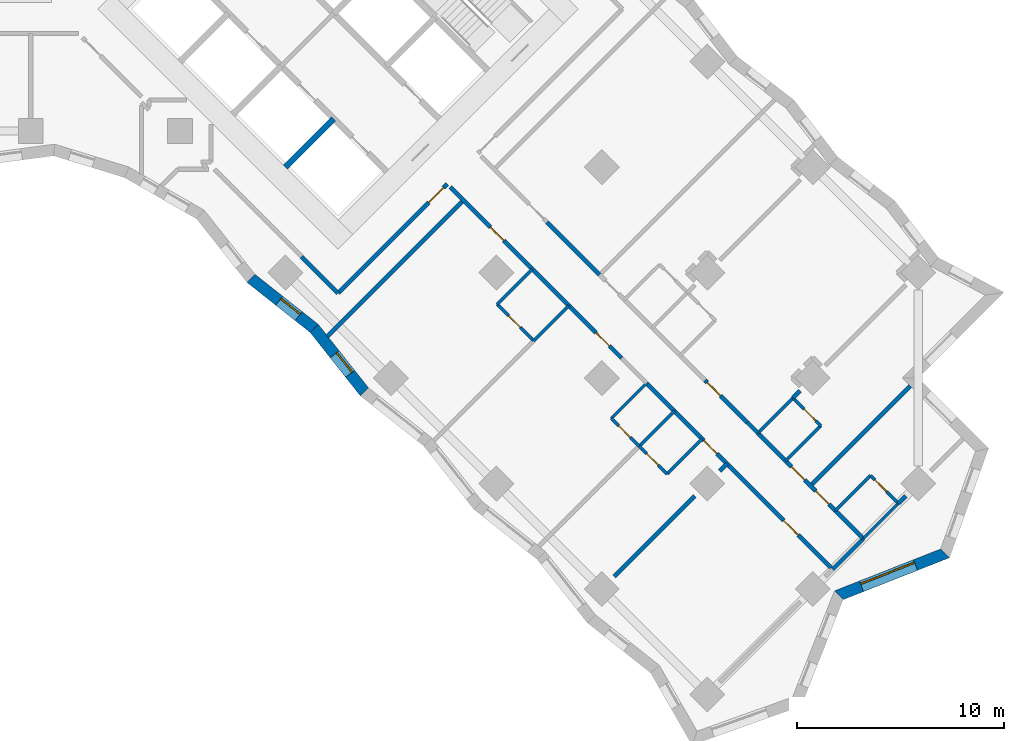
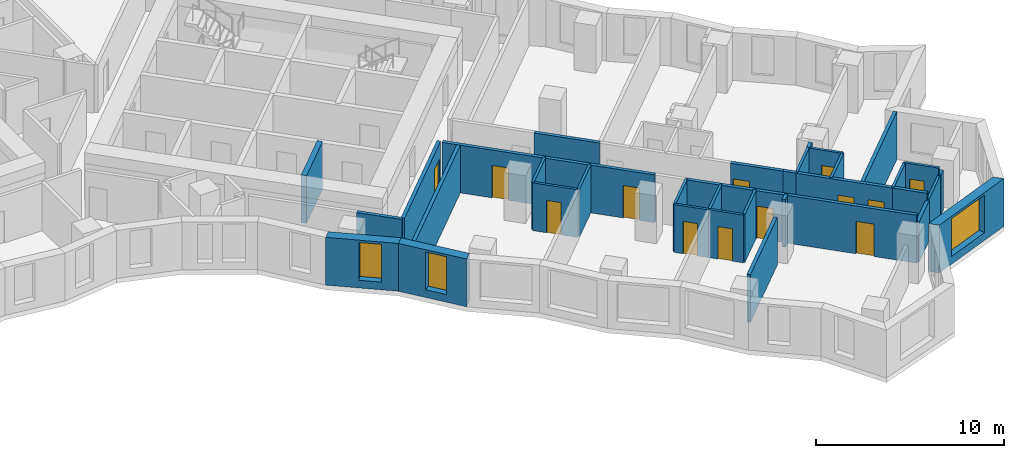
# One storey, part 8 of 14: 36 walls, 13 doors, 3 windows, 16 openings.
"""IFC4 building model written with IfcOpenShell, lengths in metres."""

from ifc_helpers import new_model, si_unit, direction, frame, frame_2d, origin, place, context, subcontext, project, spatial, polyline, rectangle, outline, extrude, material, layer, layer_set, type_object, element, fill, save


model = new_model("IFC4")

# Units and contexts
model_context = context("Model", 3, precision=1e-05, world=origin(), true_north=direction((0.0, 1.0)))
body_context = subcontext(model_context, "Body", "Model", "MODEL_VIEW")
ifc_project = project(units=[si_unit("LENGTHUNIT", "METRE"), si_unit("AREAUNIT", "SQUARE_METRE"), si_unit("VOLUMEUNIT", "CUBIC_METRE"), si_unit("PLANEANGLEUNIT", "RADIAN"), si_unit("MASSUNIT", "GRAM", prefix="KILO")], contexts=[model_context])

# Site, building, storey
site_placement = place(None, origin())
site = spatial("IfcSite", under=ifc_project, at=site_placement, CompositionType="ELEMENT")
building_placement = place(site_placement, origin())
building = spatial("IfcBuilding", under=site, at=building_placement, Name="Windrow Commons", CompositionType="ELEMENT")
storey_placement = place(building_placement, frame((0.0, 0.0, 44.0)))
storey = spatial("IfcBuildingStorey", under=building, at=storey_placement, Name="L11", CompositionType="ELEMENT", Elevation=44.0)

# Wall, opening, window
ifc_material_1 = material(Name="Brick masonry, red clay brick", Category="masonry")
ifc_layer_1 = layer(ifc_material_1, 0.55)
ifc_layer_set_1 = layer_set([ifc_layer_1], Name="Brick facade wall 550")
wall_type_1 = type_object("IfcWallType", Name="Brick facade wall 550", PredefinedType="SOLIDWALL", material=ifc_layer_set_1)
wall_1_placement = place(storey_placement, frame((111.0019, 20.7873, 0.0), z_axis=(0.0, 0.0, 1.0), x_axis=(0.930334543, 0.3667119279, 0.0)))
wall_1 = element("IfcWall", 1, at=wall_1_placement, inside=storey, type_object=wall_type_1, Name="Brick facade wall L11 3", PredefinedType="SOLIDWALL", context=body_context, shape_type="SweptSolid", body=[
    extrude(outline(polyline([(0.1195, -0.275), (5.6396, -0.275), (5.3898, 0.275), (-0.1195, 0.275), (0.1195, -0.275)])), origin(), (0.0, 0.0, 1.0), 3.1),
])
opening_1_placement = place(wall_1_placement, frame((1.1777, 0.0, 0.5)))
opening_1 = element("IfcOpeningElement", 2, at=opening_1_placement, cuts=wall_1, Name="Opening W1T", PredefinedType="OPENING", context=body_context, shape_type="SweptSolid", body=[
    extrude(rectangle(XDim=2.8, YDim=2.45, at=frame_2d((1.4, 1.225))), frame((0.0, 0.285, 0.0), z_axis=(0.0, -1.0, 0.0), x_axis=(1.0, 0.0, 0.0)), (0.0, 0.0, 1.0), 0.57),
])
ifc_material_2 = material(Name="Clear float glass in anodised aluminium frame", Category="aluminium")
window_type_1 = type_object("IfcWindowType", Name="Window W1T bedroom 2800x2450", PartitioningType="SINGLE_PANEL", PredefinedType="WINDOW", material=ifc_material_2)
window_1_placement = place(opening_1_placement, origin())
window_1 = element("IfcWindow", 3, at=window_1_placement, inside=storey, type_object=window_type_1, Name="Window L11 3.1", OverallHeight=2.45, OverallWidth=2.8, PartitioningType="SINGLE_PANEL", PredefinedType="WINDOW", context=body_context, shape_type="SweptSolid", body=[
    extrude(rectangle(XDim=2.8, YDim=2.45, at=frame_2d((1.4, 1.225))), frame((0.0, 0.155, 0.0), z_axis=(0.0, -1.0, 0.0), x_axis=(1.0, 0.0, 0.0)), (0.0, 0.0, 1.0), 0.06),
])
fill(opening_1, window_1)

wall_2_placement = place(storey_placement, frame((82.619, 36.0906, 0.0), z_axis=(0.0, 0.0, 1.0), x_axis=(0.7841326465, -0.6205932587, 0.0)))
wall_2 = element("IfcWall", 4, at=wall_2_placement, inside=storey, type_object=wall_type_1, Name="Brick facade wall L11 56", PredefinedType="SOLIDWALL", context=body_context, shape_type="SweptSolid", body=[
    extrude(outline(polyline([(-0.032, -0.275), (3.868, -0.275), (3.932, 0.275), (0.032, 0.275), (-0.032, -0.275)])), origin(), (0.0, 0.0, 1.0), 3.1),
])
opening_2_placement = place(wall_2_placement, frame((1.7487, 0.0, 0.5)))
opening_2 = element("IfcOpeningElement", 5, at=opening_2_placement, cuts=wall_2, Name="Opening W7D", PredefinedType="OPENING", context=body_context, shape_type="SweptSolid", body=[
    extrude(rectangle(XDim=1.2, YDim=2.45, at=frame_2d((0.6, 1.225))), frame((0.0, 0.285, 0.0), z_axis=(0.0, -1.0, 0.0), x_axis=(1.0, 0.0, 0.0)), (0.0, 0.0, 1.0), 0.57),
])
ifc_material_3 = material(Name="Clear float glass in anodised aluminium frame", Category="aluminium")
window_type_2 = type_object("IfcWindowType", Name="Window W7 notch 1200x2450", PartitioningType="SINGLE_PANEL", PredefinedType="WINDOW", material=ifc_material_3)
window_2_placement = place(opening_2_placement, origin())
window_2 = element("IfcWindow", 6, at=window_2_placement, inside=storey, type_object=window_type_2, Name="Window L11 56.1", OverallHeight=2.45, OverallWidth=1.2, PartitioningType="SINGLE_PANEL", PredefinedType="WINDOW", context=body_context, shape_type="SweptSolid", body=[
    extrude(rectangle(XDim=1.2, YDim=2.45, at=frame_2d((0.6, 1.225))), frame((0.0, 0.155, 0.0), z_axis=(0.0, -1.0, 0.0), x_axis=(1.0, 0.0, 0.0)), (0.0, 0.0, 1.0), 0.06),
])
fill(opening_2, window_2)

wall_3_placement = place(storey_placement, frame((85.6771, 33.6703, 0.0), z_axis=(0.0, 0.0, 1.0), x_axis=(0.6205932587, -0.7841326465, 0.0)))
wall_3 = element("IfcWall", 7, at=wall_3_placement, inside=storey, type_object=wall_type_1, Name="Brick facade wall L11 57", PredefinedType="SOLIDWALL", context=body_context, shape_type="SweptSolid", body=[
    extrude(outline(polyline([(0.032, -0.275), (3.932, -0.275), (3.868, 0.275), (-0.032, 0.275), (0.032, -0.275)])), origin(), (0.0, 0.0, 1.0), 3.1),
])
opening_3_placement = place(wall_3_placement, frame((1.5948, 0.0, 0.5)))
opening_3 = element("IfcOpeningElement", 8, at=opening_3_placement, cuts=wall_3, Name="Opening W7D", PredefinedType="OPENING", context=body_context, shape_type="SweptSolid", body=[
    extrude(rectangle(XDim=1.2, YDim=2.45, at=frame_2d((0.6, 1.225))), frame((0.0, 0.285, 0.0), z_axis=(0.0, -1.0, 0.0), x_axis=(1.0, 0.0, 0.0)), (0.0, 0.0, 1.0), 0.57),
])
window_3_placement = place(opening_3_placement, origin())
window_3 = element("IfcWindow", 9, at=window_3_placement, inside=storey, type_object=window_type_2, Name="Window L11 57.1", OverallHeight=2.45, OverallWidth=1.2, PartitioningType="SINGLE_PANEL", PredefinedType="WINDOW", context=body_context, shape_type="SweptSolid", body=[
    extrude(rectangle(XDim=1.2, YDim=2.45, at=frame_2d((0.6, 1.225))), frame((0.0, 0.155, 0.0), z_axis=(0.0, -1.0, 0.0), x_axis=(1.0, 0.0, 0.0)), (0.0, 0.0, 1.0), 0.06),
])
fill(opening_3, window_3)

# Wall, openings, doors
ifc_material_4 = material(Name="Blockwork partition", Category="masonry")
ifc_layer_2 = layer(ifc_material_4, 0.2)
ifc_layer_set_2 = layer_set([ifc_layer_2], Name="IW-CORRIDOR-200")
wall_type_2 = type_object("IfcWallType", Name="IW-CORRIDOR-200", PredefinedType="PARTITIONING", material=ifc_layer_set_2)
wall_4_placement = place(storey_placement, frame((103.061, 29.677, 0.0), z_axis=(0.0, 0.0, 1.0), x_axis=(0.7071067812, -0.7071067812, 0.0)))
wall_4 = element("IfcWall", 10, at=wall_4_placement, inside=storey, type_object=wall_type_2, Name="W-L11-W009", PredefinedType="PARTITIONING", context=body_context, shape_type="SweptSolid", body=[
    extrude(rectangle(XDim=10.8018, YDim=0.2, at=frame_2d((5.4009, 0.0))), origin(), (0.0, 0.0, 1.0), 3.1),
])
opening_4_placement = place(wall_4_placement, frame((2.012, 0.0, 0.0)))
opening_4 = element("IfcOpeningElement", 11, at=opening_4_placement, cuts=wall_4, Name="Opening D109S", PredefinedType="OPENING", context=body_context, shape_type="SweptSolid", body=[
    extrude(rectangle(XDim=0.9, YDim=2.1, at=frame_2d((0.45, 1.05))), frame((0.0, 0.11, 0.0), z_axis=(0.0, -1.0, 0.0), x_axis=(1.0, 0.0, 0.0)), (0.0, 0.0, 1.0), 0.22),
])
opening_5_placement = place(wall_4_placement, frame((7.4633, 0.0, 0.0)))
opening_5 = element("IfcOpeningElement", 12, at=opening_5_placement, cuts=wall_4, Name="Opening D310F", PredefinedType="OPENING", context=body_context, shape_type="SweptSolid", body=[
    extrude(rectangle(XDim=1.0, YDim=2.1, at=frame_2d((0.5, 1.05))), frame((0.0, 0.11, 0.0), z_axis=(0.0, -1.0, 0.0), x_axis=(1.0, 0.0, 0.0)), (0.0, 0.0, 1.0), 0.22),
])
ifc_material_5 = material(Name="Timber door leaf", Category="wood")
door_type_1 = type_object("IfcDoorType", Name="DT-AMENITY-1000", OperationType="SINGLE_SWING_LEFT", PredefinedType="DOOR", material=ifc_material_5)
door_1_placement = place(opening_5_placement, origin())
door_1 = element("IfcDoor", 13, at=door_1_placement, inside=storey, type_object=door_type_1, Name="D-L11-D057", OperationType="SINGLE_SWING_RIGHT", OverallHeight=2.1, OverallWidth=1.0, PredefinedType="DOOR", context=body_context, shape_type="SweptSolid", body=[
    extrude(rectangle(XDim=1.0, YDim=2.1, at=frame_2d((0.5, 1.05))), frame((0.0, 0.025, 0.0), z_axis=(0.0, -1.0, 0.0), x_axis=(1.0, 0.0, 0.0)), (0.0, 0.0, 1.0), 0.05),
])
fill(opening_5, door_1)
ifc_material_6 = material(Name="Timber door leaf", Category="wood")
door_type_2 = type_object("IfcDoorType", Name="DT-BEDROOM-900", OperationType="SINGLE_SWING_LEFT", PredefinedType="DOOR", material=ifc_material_6)
door_2_placement = place(opening_4_placement, origin())
door_2 = element("IfcDoor", 14, at=door_2_placement, inside=storey, type_object=door_type_2, Name="D-L11-D055", OperationType="SINGLE_SWING_LEFT", OverallHeight=2.1, OverallWidth=0.9, PredefinedType="DOOR", context=body_context, shape_type="SweptSolid", body=[
    extrude(rectangle(XDim=0.9, YDim=2.1, at=frame_2d((0.45, 1.05))), frame((0.0, 0.025, 0.0), z_axis=(0.0, -1.0, 0.0), x_axis=(1.0, 0.0, 0.0)), (0.0, 0.0, 1.0), 0.05),
])
fill(opening_4, door_2)

# Wall, opening, door
wall_5_placement = place(storey_placement, frame((92.243, 40.495, 0.0), z_axis=(0.0, 0.0, 1.0), x_axis=(0.7071067812, -0.7071067812, 0.0)))
wall_5 = element("IfcWall", 15, at=wall_5_placement, inside=storey, type_object=wall_type_2, Name="W-L11-W015", PredefinedType="PARTITIONING", context=body_context, shape_type="SweptSolid", body=[
    extrude(rectangle(XDim=8.1006, YDim=0.2, at=frame_2d((4.0503, 0.0))), origin(), (0.0, 0.0, 1.0), 3.1),
])
opening_6_placement = place(wall_5_placement, frame((2.7498, 0.0, 0.0)))
opening_6 = element("IfcOpeningElement", 16, at=opening_6_placement, cuts=wall_5, Name="Opening D109F", PredefinedType="OPENING", context=body_context, shape_type="SweptSolid", body=[
    extrude(rectangle(XDim=0.9, YDim=2.1, at=frame_2d((0.45, 1.05))), frame((0.0, 0.11, 0.0), z_axis=(0.0, -1.0, 0.0), x_axis=(1.0, 0.0, 0.0)), (0.0, 0.0, 1.0), 0.22),
])
door_3_placement = place(opening_6_placement, origin())
door_3 = element("IfcDoor", 17, at=door_3_placement, inside=storey, type_object=door_type_2, Name="D-L11-D051", OperationType="SINGLE_SWING_LEFT", OverallHeight=2.1, OverallWidth=0.9, PredefinedType="DOOR", context=body_context, shape_type="SweptSolid", body=[
    extrude(rectangle(XDim=0.9, YDim=2.1, at=frame_2d((0.45, 1.05))), frame((0.0, 0.025, 0.0), z_axis=(0.0, -1.0, 0.0), x_axis=(1.0, 0.0, 0.0)), (0.0, 0.0, 1.0), 0.05),
])
fill(opening_6, door_3)

wall_6_placement = place(storey_placement, frame((86.8356, 35.3724, 0.0), z_axis=(0.0, 0.0, 1.0), x_axis=(0.7071067812, 0.7071067812, 0.0)))
wall_6 = element("IfcWall", 18, at=wall_6_placement, inside=storey, type_object=wall_type_2, Name="W-L11-W016", PredefinedType="PARTITIONING", context=body_context, shape_type="SweptSolid", body=[
    extrude(rectangle(XDim=7.4501, YDim=0.2, at=frame_2d((3.725, 0.0))), origin(), (0.0, 0.0, 1.0), 3.1),
])
opening_7_placement = place(wall_6_placement, frame((6.1921, 0.0, 0.0)))
opening_7 = element("IfcOpeningElement", 19, at=opening_7_placement, cuts=wall_6, Name="Opening D310F", PredefinedType="OPENING", context=body_context, shape_type="SweptSolid", body=[
    extrude(rectangle(XDim=1.0, YDim=2.1, at=frame_2d((0.5, 1.05))), frame((0.0, 0.11, 0.0), z_axis=(0.0, -1.0, 0.0), x_axis=(1.0, 0.0, 0.0)), (0.0, 0.0, 1.0), 0.22),
])
door_4_placement = place(opening_7_placement, origin())
door_4 = element("IfcDoor", 20, at=door_4_placement, inside=storey, type_object=door_type_1, Name="D-L11-D050", OperationType="SINGLE_SWING_RIGHT", OverallHeight=2.1, OverallWidth=1.0, PredefinedType="DOOR", context=body_context, shape_type="SweptSolid", body=[
    extrude(rectangle(XDim=1.0, YDim=2.1, at=frame_2d((0.5, 1.05))), frame((0.0, 0.025, 0.0), z_axis=(0.0, -1.0, 0.0), x_axis=(1.0, 0.0, 0.0)), (0.0, 0.0, 1.0), 0.05),
])
fill(opening_7, door_4)

# Wall, openings, doors
wall_7_placement = place(storey_placement, frame((107.093, 28.615, 0.0), z_axis=(0.0, 0.0, 1.0), x_axis=(0.7072011313, -0.7070124185, 0.0)))
wall_7 = element("IfcWall", 21, at=wall_7_placement, inside=storey, type_object=wall_type_2, Name="W-L11-W038", PredefinedType="PARTITIONING", context=body_context, shape_type="SweptSolid", body=[
    extrude(rectangle(XDim=5.2991, YDim=0.2, at=frame_2d((2.6496, 0.0))), origin(), (0.0, 0.0, 1.0), 3.1),
])
opening_8_placement = place(wall_7_placement, frame((2.2988, 0.0, 0.0)))
opening_8 = element("IfcOpeningElement", 22, at=opening_8_placement, cuts=wall_7, Name="Opening D109S", PredefinedType="OPENING", context=body_context, shape_type="SweptSolid", body=[
    extrude(rectangle(XDim=0.9, YDim=2.1, at=frame_2d((0.45, 1.05))), frame((0.0, 0.11, 0.0), z_axis=(0.0, -1.0, 0.0), x_axis=(1.0, 0.0, 0.0)), (0.0, 0.0, 1.0), 0.22),
])
opening_9_placement = place(wall_7_placement, frame((3.9488, 0.0, 0.0)))
opening_9 = element("IfcOpeningElement", 23, at=opening_9_placement, cuts=wall_7, Name="Opening D109S", PredefinedType="OPENING", context=body_context, shape_type="SweptSolid", body=[
    extrude(rectangle(XDim=0.9, YDim=2.1, at=frame_2d((0.45, 1.05))), frame((0.0, 0.11, 0.0), z_axis=(0.0, -1.0, 0.0), x_axis=(1.0, 0.0, 0.0)), (0.0, 0.0, 1.0), 0.22),
])
door_5_placement = place(opening_8_placement, origin())
door_5 = element("IfcDoor", 24, at=door_5_placement, inside=storey, type_object=door_type_2, Name="D-L11-D045", OperationType="SINGLE_SWING_LEFT", OverallHeight=2.1, OverallWidth=0.9, PredefinedType="DOOR", context=body_context, shape_type="SweptSolid", body=[
    extrude(rectangle(XDim=0.9, YDim=2.1, at=frame_2d((0.45, 1.05))), frame((0.0, 0.025, 0.0), z_axis=(0.0, -1.0, 0.0), x_axis=(1.0, 0.0, 0.0)), (0.0, 0.0, 1.0), 0.05),
])
fill(opening_8, door_5)
door_6_placement = place(opening_9_placement, origin())
door_6 = element("IfcDoor", 25, at=door_6_placement, inside=storey, type_object=door_type_2, Name="D-L11-D058", OperationType="SINGLE_SWING_RIGHT", OverallHeight=2.1, OverallWidth=0.9, PredefinedType="DOOR", context=body_context, shape_type="SweptSolid", body=[
    extrude(rectangle(XDim=0.9, YDim=2.1, at=frame_2d((0.45, 1.05))), frame((0.0, 0.025, 0.0), z_axis=(0.0, -1.0, 0.0), x_axis=(1.0, 0.0, 0.0)), (0.0, 0.0, 1.0), 0.05),
])
fill(opening_9, door_6)

# Wall
wall_8_placement = place(storey_placement, frame((96.9127, 38.8007, 0.0), z_axis=(0.0, 0.0, 1.0), x_axis=(0.7068288851, -0.7073845681, 0.0)))
element("IfcWall", 26, at=wall_8_placement, inside=storey, type_object=wall_type_2, Name="W-L11-W056", PredefinedType="PARTITIONING", context=body_context, shape_type="SweptSolid", body=[
    extrude(rectangle(XDim=3.5992, YDim=0.2, at=frame_2d((1.7996, 0.0))), origin(), (0.0, 0.0, 1.0), 3.1),
])

# Wall, opening, door
wall_9_placement = place(storey_placement, frame((97.9764, 34.7724, 0.0), z_axis=(0.0, 0.0, 1.0), x_axis=(0.7073845681, -0.7068288851, 0.0)))
wall_9 = element("IfcWall", 27, at=wall_9_placement, inside=storey, type_object=wall_type_2, Name="W-L11-W057", PredefinedType="PARTITIONING", context=body_context, shape_type="SweptSolid", body=[
    extrude(rectangle(XDim=3.5992, YDim=0.2, at=frame_2d((1.7996, 0.0))), origin(), (0.0, 0.0, 1.0), 3.1),
])
opening_10_placement = place(wall_9_placement, frame((1.8576, 0.0, 0.0)))
opening_10 = element("IfcOpeningElement", 28, at=opening_10_placement, cuts=wall_9, Name="Opening D109F", PredefinedType="OPENING", context=body_context, shape_type="SweptSolid", body=[
    extrude(rectangle(XDim=0.9, YDim=2.1, at=frame_2d((0.45, 1.05))), frame((0.0, 0.11, 0.0), z_axis=(0.0, -1.0, 0.0), x_axis=(1.0, 0.0, 0.0)), (0.0, 0.0, 1.0), 0.22),
])
door_7_placement = place(opening_10_placement, origin())
door_7 = element("IfcDoor", 29, at=door_7_placement, inside=storey, type_object=door_type_2, Name="D-L11-D053", OperationType="SINGLE_SWING_LEFT", OverallHeight=2.1, OverallWidth=0.9, PredefinedType="DOOR", context=body_context, shape_type="SweptSolid", body=[
    extrude(rectangle(XDim=0.9, YDim=2.1, at=frame_2d((0.45, 1.05))), frame((0.0, 0.025, 0.0), z_axis=(0.0, -1.0, 0.0), x_axis=(1.0, 0.0, 0.0)), (0.0, 0.0, 1.0), 0.05),
])
fill(opening_10, door_7)

wall_10_placement = place(storey_placement, frame((104.5509, 31.1649, 0.0), z_axis=(0.0, 0.0, 1.0), x_axis=(0.7074545101, -0.7067588812, 0.0)))
wall_10 = element("IfcWall", 30, at=wall_10_placement, inside=storey, type_object=wall_type_2, Name="W-L11-W064", PredefinedType="PARTITIONING", context=body_context, shape_type="SweptSolid", body=[
    extrude(rectangle(XDim=2.8751, YDim=0.2, at=frame_2d((1.4376, 0.0))), origin(), (0.0, 0.0, 1.0), 3.1),
])
opening_11_placement = place(wall_10_placement, frame((0.1483, 0.0, 0.0)))
opening_11 = element("IfcOpeningElement", 31, at=opening_11_placement, cuts=wall_10, Name="Opening D109F", PredefinedType="OPENING", context=body_context, shape_type="SweptSolid", body=[
    extrude(rectangle(XDim=0.9, YDim=2.1, at=frame_2d((0.45, 1.05))), frame((0.0, 0.11, 0.0), z_axis=(0.0, -1.0, 0.0), x_axis=(1.0, 0.0, 0.0)), (0.0, 0.0, 1.0), 0.22),
])
door_8_placement = place(opening_11_placement, origin())
door_8 = element("IfcDoor", 32, at=door_8_placement, inside=storey, type_object=door_type_2, Name="D-L11-D043", OperationType="SINGLE_SWING_LEFT", OverallHeight=2.1, OverallWidth=0.9, PredefinedType="DOOR", context=body_context, shape_type="SweptSolid", body=[
    extrude(rectangle(XDim=0.9, YDim=2.1, at=frame_2d((0.45, 1.05))), frame((0.0, 0.025, 0.0), z_axis=(0.0, -1.0, 0.0), x_axis=(1.0, 0.0, 0.0)), (0.0, 0.0, 1.0), 0.05),
])
fill(opening_11, door_8)

# Walls
wall_11_placement = place(storey_placement, frame((85.0651, 37.1371, 0.0), z_axis=(0.0, 0.0, 1.0), x_axis=(0.7071067812, -0.7071067812, 0.0)))
element("IfcWall", 33, at=wall_11_placement, inside=storey, type_object=wall_type_2, Name="W-L11-W069", PredefinedType="PARTITIONING", context=body_context, shape_type="SweptSolid", body=[
    extrude(rectangle(XDim=2.5003, YDim=0.2, at=frame_2d((1.2502, 0.0))), origin(), (0.0, 0.0, 1.0), 3.1),
])
wall_12_placement = place(storey_placement, frame((110.7053, 22.0387, 0.0), z_axis=(0.0, 0.0, 1.0), x_axis=(0.7066304548, 0.7075827869, 0.0)))
element("IfcWall", 34, at=wall_12_placement, inside=storey, type_object=wall_type_2, Name="W-L11-W115", PredefinedType="PARTITIONING", context=body_context, shape_type="SweptSolid", body=[
    extrude(rectangle(XDim=2.1001, YDim=0.2, at=frame_2d((1.05, 0.0))), origin(), (0.0, 0.0, 1.0), 2.6),
])
for number, where, z_axis, x_axis, name in (
    (35, (110.8433, 24.8713, 0.0), (0.0, 0.0, 1.0), (0.7065800724, -0.7076330979, 0.0), "W-L11-W138"),
    (36, (101.72, 31.022, 0.0), (0.0, 0.0, 1.0), (0.7065800724, -0.7076330979, 0.0), "W-L11-W141"),
):
    element("IfcWall", number, at=place(storey_placement, frame(where, z_axis=z_axis, x_axis=x_axis)), inside=storey, type_object=wall_type_2, Name=name, PredefinedType="PARTITIONING", context=body_context, shape_type="SweptSolid", body=[
        extrude(rectangle(XDim=1.8993, YDim=0.2, at=frame_2d((0.9496, 0.0))), origin(), (0.0, 0.0, 1.0), 3.1),
    ])
wall_13_placement = place(storey_placement, frame((106.587, 29.135, 0.0), z_axis=(0.0, 0.0, 1.0), x_axis=(0.7071067812, -0.7071067812, 0.0)))
element("IfcWall", 37, at=wall_13_placement, inside=storey, type_object=wall_type_2, Name="W-L11-W165", PredefinedType="PARTITIONING", context=body_context, shape_type="SweptSolid", body=[
    extrude(rectangle(XDim=0.7241, YDim=0.2, at=frame_2d((0.362, 0.0))), origin(), (0.0, 0.0, 1.0), 3.1),
])

# Wall, opening, door
ifc_material_7 = material(Name="Blockwork partition", Category="masonry")
ifc_layer_3 = layer(ifc_material_7, 0.15)
ifc_layer_set_3 = layer_set([ifc_layer_3], Name="IW-ENSUITE-150")
wall_type_3 = type_object("IfcWallType", Name="IW-ENSUITE-150", PredefinedType="PARTITIONING", material=ifc_layer_set_3)
wall_14_placement = place(storey_placement, frame((94.505, 34.839, 0.0), z_axis=(0.0, 0.0, 1.0), x_axis=(0.7071067812, -0.7071067812, 0.0)))
wall_14 = element("IfcWall", 38, at=wall_14_placement, inside=storey, type_object=wall_type_3, Name="W-L11-W070", PredefinedType="PARTITIONING", context=body_context, shape_type="SweptSolid", body=[
    extrude(rectangle(XDim=2.5003, YDim=0.15, at=frame_2d((1.2502, 0.0))), origin(), (0.0, 0.0, 1.0), 3.1),
])
opening_12_placement = place(wall_14_placement, frame((0.7918, 0.0, 0.0)))
opening_12 = element("IfcOpeningElement", 39, at=opening_12_placement, cuts=wall_14, Name="Opening D208N", PredefinedType="OPENING", context=body_context, shape_type="SweptSolid", body=[
    extrude(rectangle(XDim=0.8, YDim=2.1, at=frame_2d((0.4, 1.05))), frame((0.0, 0.085, 0.0), z_axis=(0.0, -1.0, 0.0), x_axis=(1.0, 0.0, 0.0)), (0.0, 0.0, 1.0), 0.17),
])
ifc_material_8 = material(Name="Timber door leaf", Category="wood")
door_type_3 = type_object("IfcDoorType", Name="DT-ENSUITE-800", OperationType="SINGLE_SWING_LEFT", PredefinedType="DOOR", material=ifc_material_8)
door_9_placement = place(opening_12_placement, origin())
door_9 = element("IfcDoor", 40, at=door_9_placement, inside=storey, type_object=door_type_3, Name="D-L11-D052", OperationType="SINGLE_SWING_RIGHT", OverallHeight=2.1, OverallWidth=0.8, PredefinedType="DOOR", context=body_context, shape_type="SweptSolid", body=[
    extrude(rectangle(XDim=0.8, YDim=2.1, at=frame_2d((0.4, 1.05))), frame((0.0, 0.025, 0.0), z_axis=(0.0, -1.0, 0.0), x_axis=(1.0, 0.0, 0.0)), (0.0, 0.0, 1.0), 0.05),
])
fill(opening_12, door_9)

# Walls
wall_15_placement = place(storey_placement, frame((100.0233, 29.3267, 0.0), z_axis=(0.0, 0.0, 1.0), x_axis=(0.7071067812, 0.7071067812, 0.0)))
element("IfcWall", 41, at=wall_15_placement, inside=storey, type_object=wall_type_3, Name="W-L11-W075", PredefinedType="PARTITIONING", context=body_context, shape_type="SweptSolid", body=[
    extrude(rectangle(XDim=2.4013, YDim=0.15, at=frame_2d((1.2006, 0.0))), origin(), (0.0, 0.0, 1.0), 3.1),
])
for number, where, z_axis, x_axis, name in (
    (42, (96.2784, 33.0716, 0.0), (0.0, 0.0, 1.0), (0.7075233388, 0.706689978, 0.0), "W-L11-W102"),
    (43, (94.5106, 34.8394, 0.0), (0.0, 0.0, 1.0), (0.7075233388, 0.706689978, 0.0), "W-L11-W103"),
    (44, (101.3711, 27.9789, 0.0), (0.0, 0.0, 1.0), (0.706689978, 0.7075233388, 0.0), "W-L11-W105"),
    (45, (108.4354, 27.2786, 0.0), (0.0, 0.0, 1.0), (0.7075233388, 0.706689978, 0.0), "W-L11-W106"),
):
    element("IfcWall", number, at=place(storey_placement, frame(where, z_axis=z_axis, x_axis=x_axis)), inside=storey, type_object=wall_type_3, Name=name, PredefinedType="PARTITIONING", context=body_context, shape_type="SweptSolid", body=[
        extrude(rectangle(XDim=2.3999, YDim=0.15, at=frame_2d((1.2, 0.0))), origin(), (0.0, 0.0, 1.0), 3.1),
    ])
wall_16_placement = place(storey_placement, frame((112.1831, 23.5309, 0.0), z_axis=(0.0, 0.0, 1.0), x_axis=(0.7075233388, 0.706689978, 0.0)))
element("IfcWall", 46, at=wall_16_placement, inside=storey, type_object=wall_type_3, Name="W-L11-W108", PredefinedType="PARTITIONING", context=body_context, shape_type="SweptSolid", body=[
    extrude(rectangle(XDim=2.3999, YDim=0.15, at=frame_2d((1.2, 0.0))), origin(), (0.0, 0.0, 1.0), 2.6),
])
for number, where, z_axis, x_axis, name in (
    (47, (102.7113, 26.6407, 0.0), (0.0, 0.0, 1.0), (0.7071067812, 0.7071067812, 0.0), "W-L11-W109"),
    (48, (107.0954, 28.6206, 0.0), (0.0, 0.0, 1.0), (0.7071067812, 0.7071067812, 0.0), "W-L11-W110"),
    (49, (110.843, 24.873, 0.0), (0.0, 0.0, 1.0), (0.7071067812, 0.7071067812, 0.0), "W-L11-W111"),
):
    element("IfcWall", number, at=place(storey_placement, frame(where, z_axis=z_axis, x_axis=x_axis)), inside=storey, type_object=wall_type_3, Name=name, PredefinedType="PARTITIONING", context=body_context, shape_type="SweptSolid", body=[
        extrude(rectangle(XDim=2.3985, YDim=0.15, at=frame_2d((1.1992, 0.0))), origin(), (0.0, 0.0, 1.0), 3.1),
    ])

# Wall, opening, door
wall_17_placement = place(storey_placement, frame((100.021, 29.323, 0.0), z_axis=(0.0, 0.0, 1.0), x_axis=(0.7071067812, -0.7071067812, 0.0)))
wall_17 = element("IfcWall", 50, at=wall_17_placement, inside=storey, type_object=wall_type_3, Name="W-L11-W123", PredefinedType="PARTITIONING", context=body_context, shape_type="SweptSolid", body=[
    extrude(rectangle(XDim=1.9007, YDim=0.15, at=frame_2d((0.9504, 0.0))), origin(), (0.0, 0.0, 1.0), 3.1),
])
opening_13_placement = place(wall_17_placement, frame((0.4914, 0.0, 0.0)))
opening_13 = element("IfcOpeningElement", 51, at=opening_13_placement, cuts=wall_17, Name="Opening D208N", PredefinedType="OPENING", context=body_context, shape_type="SweptSolid", body=[
    extrude(rectangle(XDim=0.8, YDim=2.1, at=frame_2d((0.4, 1.05))), frame((0.0, 0.085, 0.0), z_axis=(0.0, -1.0, 0.0), x_axis=(1.0, 0.0, 0.0)), (0.0, 0.0, 1.0), 0.17),
])
door_10_placement = place(opening_13_placement, origin())
door_10 = element("IfcDoor", 52, at=door_10_placement, inside=storey, type_object=door_type_3, Name="D-L11-D054", OperationType="SINGLE_SWING_RIGHT", OverallHeight=2.1, OverallWidth=0.8, PredefinedType="DOOR", context=body_context, shape_type="SweptSolid", body=[
    extrude(rectangle(XDim=0.8, YDim=2.1, at=frame_2d((0.4, 1.05))), frame((0.0, 0.025, 0.0), z_axis=(0.0, -1.0, 0.0), x_axis=(1.0, 0.0, 0.0)), (0.0, 0.0, 1.0), 0.05),
])
fill(opening_13, door_10)

wall_18_placement = place(storey_placement, frame((108.789, 30.313, 0.0), z_axis=(0.0, 0.0, 1.0), x_axis=(0.7071067812, -0.7071067812, 0.0)))
wall_18 = element("IfcWall", 53, at=wall_18_placement, inside=storey, type_object=wall_type_3, Name="W-L11-W124", PredefinedType="PARTITIONING", context=body_context, shape_type="SweptSolid", body=[
    extrude(rectangle(XDim=1.9007, YDim=0.15, at=frame_2d((0.9504, 0.0))), origin(), (0.0, 0.0, 1.0), 3.1),
])
opening_14_placement = place(wall_18_placement, frame((0.7596, 0.0, 0.0)))
opening_14 = element("IfcOpeningElement", 54, at=opening_14_placement, cuts=wall_18, Name="Opening D208N", PredefinedType="OPENING", context=body_context, shape_type="SweptSolid", body=[
    extrude(rectangle(XDim=0.8, YDim=2.1, at=frame_2d((0.4, 1.05))), frame((0.0, 0.085, 0.0), z_axis=(0.0, -1.0, 0.0), x_axis=(1.0, 0.0, 0.0)), (0.0, 0.0, 1.0), 0.17),
])
door_11_placement = place(opening_14_placement, origin())
door_11 = element("IfcDoor", 55, at=door_11_placement, inside=storey, type_object=door_type_3, Name="D-L11-D046", OperationType="SINGLE_SWING_RIGHT", OverallHeight=2.1, OverallWidth=0.8, PredefinedType="DOOR", context=body_context, shape_type="SweptSolid", body=[
    extrude(rectangle(XDim=0.8, YDim=2.1, at=frame_2d((0.4, 1.05))), frame((0.0, 0.025, 0.0), z_axis=(0.0, -1.0, 0.0), x_axis=(1.0, 0.0, 0.0)), (0.0, 0.0, 1.0), 0.05),
])
fill(opening_14, door_11)

wall_19_placement = place(storey_placement, frame((112.537, 26.565, 0.0), z_axis=(0.0, 0.0, 1.0), x_axis=(0.7071067812, -0.7071067812, 0.0)))
wall_19 = element("IfcWall", 56, at=wall_19_placement, inside=storey, type_object=wall_type_3, Name="W-L11-W125", PredefinedType="PARTITIONING", context=body_context, shape_type="SweptSolid", body=[
    extrude(rectangle(XDim=1.9007, YDim=0.15, at=frame_2d((0.9504, 0.0))), origin(), (0.0, 0.0, 1.0), 3.1),
])
opening_15_placement = place(wall_19_placement, frame((0.297, 0.0, 0.0)))
opening_15 = element("IfcOpeningElement", 57, at=opening_15_placement, cuts=wall_19, Name="Opening D208N", PredefinedType="OPENING", context=body_context, shape_type="SweptSolid", body=[
    extrude(rectangle(XDim=0.8, YDim=2.1, at=frame_2d((0.4, 1.05))), frame((0.0, 0.085, 0.0), z_axis=(0.0, -1.0, 0.0), x_axis=(1.0, 0.0, 0.0)), (0.0, 0.0, 1.0), 0.17),
])
door_12_placement = place(opening_15_placement, origin())
door_12 = element("IfcDoor", 58, at=door_12_placement, inside=storey, type_object=door_type_3, Name="D-L11-D059", OperationType="SINGLE_SWING_RIGHT", OverallHeight=2.1, OverallWidth=0.8, PredefinedType="DOOR", context=body_context, shape_type="SweptSolid", body=[
    extrude(rectangle(XDim=0.8, YDim=2.1, at=frame_2d((0.4, 1.05))), frame((0.0, 0.025, 0.0), z_axis=(0.0, -1.0, 0.0), x_axis=(1.0, 0.0, 0.0)), (0.0, 0.0, 1.0), 0.05),
])
fill(opening_15, door_12)

wall_20_placement = place(storey_placement, frame((101.3711, 27.9851, 0.0), z_axis=(0.0, 0.0, 1.0), x_axis=(0.7076330979, -0.7065800724, 0.0)))
wall_20 = element("IfcWall", 59, at=wall_20_placement, inside=storey, type_object=wall_type_3, Name="W-L11-W139", PredefinedType="PARTITIONING", context=body_context, shape_type="SweptSolid", body=[
    extrude(rectangle(XDim=1.8993, YDim=0.15, at=frame_2d((0.9496, 0.0))), origin(), (0.0, 0.0, 1.0), 3.1),
])
opening_16_placement = place(wall_20_placement, frame((0.5015, 0.0, 0.0)))
opening_16 = element("IfcOpeningElement", 60, at=opening_16_placement, cuts=wall_20, Name="Opening D208N", PredefinedType="OPENING", context=body_context, shape_type="SweptSolid", body=[
    extrude(rectangle(XDim=0.8, YDim=2.1, at=frame_2d((0.4, 1.05))), frame((0.0, 0.085, 0.0), z_axis=(0.0, -1.0, 0.0), x_axis=(1.0, 0.0, 0.0)), (0.0, 0.0, 1.0), 0.17),
])
door_13_placement = place(opening_16_placement, origin())
door_13 = element("IfcDoor", 61, at=door_13_placement, inside=storey, type_object=door_type_3, Name="D-L11-D056", OperationType="SINGLE_SWING_RIGHT", OverallHeight=2.1, OverallWidth=0.8, PredefinedType="DOOR", context=body_context, shape_type="SweptSolid", body=[
    extrude(rectangle(XDim=0.8, YDim=2.1, at=frame_2d((0.4, 1.05))), frame((0.0, 0.025, 0.0), z_axis=(0.0, -1.0, 0.0), x_axis=(1.0, 0.0, 0.0)), (0.0, 0.0, 1.0), 0.05),
])
fill(opening_16, door_13)

# Walls
ifc_material_9 = material(Name="Blockwork partition", Category="masonry")
ifc_layer_4 = layer(ifc_material_9, 0.2)
ifc_layer_set_4 = layer_set([ifc_layer_4], Name="IW-PARTY-200")
wall_type_4 = type_object("IfcWallType", Name="IW-PARTY-200", PredefinedType="PARTITIONING", material=ifc_layer_set_4)
wall_21_placement = place(storey_placement, frame((86.3243, 33.2957, 0.0), z_axis=(0.0, 0.0, 1.0), x_axis=(0.7069990152, 0.7072145308, 0.0)))
element("IfcWall", 62, at=wall_21_placement, inside=storey, type_object=wall_type_4, Name="W-L11-W014", PredefinedType="PARTITIONING", context=body_context, shape_type="SweptSolid", body=[
    extrude(rectangle(XDim=9.2801, YDim=0.2, at=frame_2d((4.64, 0.0))), origin(), (0.0, 0.0, 1.0), 3.1),
])
wall_22_placement = place(storey_placement, frame((109.6401, 26.0739, 0.0), z_axis=(0.0, 0.0, 1.0), x_axis=(0.7072538194, 0.7069597124, 0.0)))
element("IfcWall", 63, at=wall_22_placement, inside=storey, type_object=wall_type_4, Name="W-L11-W022", PredefinedType="PARTITIONING", context=body_context, shape_type="SweptSolid", body=[
    extrude(rectangle(XDim=6.8002, YDim=0.2, at=frame_2d((3.4001, 0.0))), origin(), (0.0, 0.0, 1.0), 3.1),
])
wall_23_placement = place(storey_placement, frame((100.1634, 21.6886, 0.0), z_axis=(0.0, 0.0, 1.0), x_axis=(0.7071067812, 0.7071067812, 0.0)))
element("IfcWall", 64, at=wall_23_placement, inside=storey, type_object=wall_type_4, Name="W-L11-W035", PredefinedType="PARTITIONING", context=body_context, shape_type="SweptSolid", body=[
    extrude(rectangle(XDim=5.5041, YDim=0.2, at=frame_2d((2.7521, 0.0))), origin(), (0.0, 0.0, 1.0), 3.1),
])
wall_24_placement = place(storey_placement, frame((113.8848, 25.2232, 0.0), z_axis=(0.0, 0.0, 1.0), x_axis=(0.7051121336, 0.709095818, 0.0)))
element("IfcWall", 65, at=wall_24_placement, inside=storey, type_object=wall_type_4, Name="W-L11-W183", PredefinedType="PARTITIONING", context=body_context, shape_type="SweptSolid", body=[
    extrude(rectangle(XDim=0.502, YDim=0.2, at=frame_2d((0.251, 0.0))), origin(), (0.0, 0.0, 1.0), 2.6),
])
wall_25_placement = place(storey_placement, frame((105.2554, 26.7806, 0.0), z_axis=(0.0, 0.0, 1.0), x_axis=(0.7071067812, 0.7071067812, 0.0)))
element("IfcWall", 66, at=wall_25_placement, inside=storey, type_object=wall_type_4, Name="W-L11-W184", PredefinedType="PARTITIONING", context=body_context, shape_type="SweptSolid", body=[
    extrude(rectangle(XDim=0.5006, YDim=0.2, at=frame_2d((0.2503, 0.0))), origin(), (0.0, 0.0, 1.0), 3.1),
])
wall_26_placement = place(storey_placement, frame((108.7914, 30.3166, 0.0), z_axis=(0.0, 0.0, 1.0), x_axis=(0.7071067812, 0.7071067812, 0.0)))
element("IfcWall", 67, at=wall_26_placement, inside=storey, type_object=wall_type_4, Name="W-L11-W190", PredefinedType="PARTITIONING", context=body_context, shape_type="SweptSolid", body=[
    extrude(rectangle(XDim=0.4808, YDim=0.2, at=frame_2d((0.2404, 0.0))), origin(), (0.0, 0.0, 1.0), 3.1),
])
ifc_material_10 = material(Name="Concrete C60/75", Category="concrete")
ifc_layer_5 = layer(ifc_material_10, 0.3)
ifc_layer_set_5 = layer_set([ifc_layer_5], Name="RC SHAFT WALL 300 C60/75")
wall_type_5 = type_object("IfcWallType", Name="RC SHAFT WALL 300 C60/75", PredefinedType="SOLIDWALL", material=ifc_layer_set_5)
wall_27_placement = place(storey_placement, frame((84.2912, 41.453, 0.0), z_axis=(0.0, 0.0, 1.0), x_axis=(0.7071067812, 0.7071067812, 0.0)))
element("IfcWall", 68, at=wall_27_placement, inside=storey, type_object=wall_type_5, Name="Core B wall shaft-S3", PredefinedType="SOLIDWALL", context=body_context, shape_type="SweptSolid", body=[
    extrude(rectangle(XDim=3.2999, YDim=0.3, at=frame_2d((1.65, 0.0))), origin(), (0.0, 0.0, 1.0), 3.1),
])

save(model, "model.ifc")
